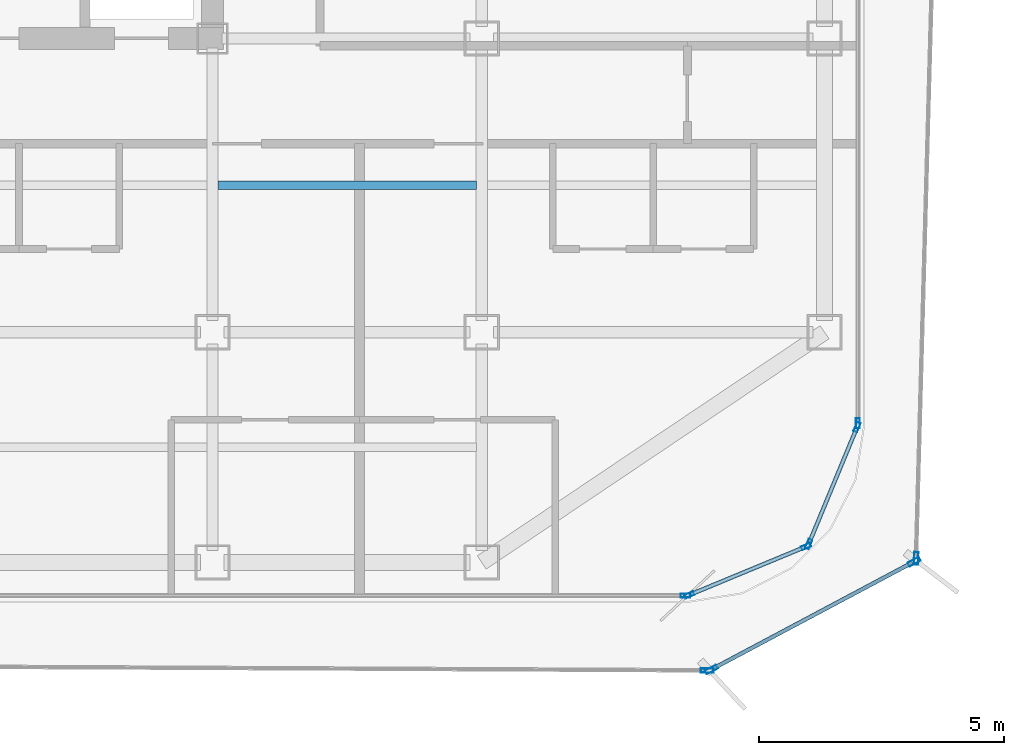
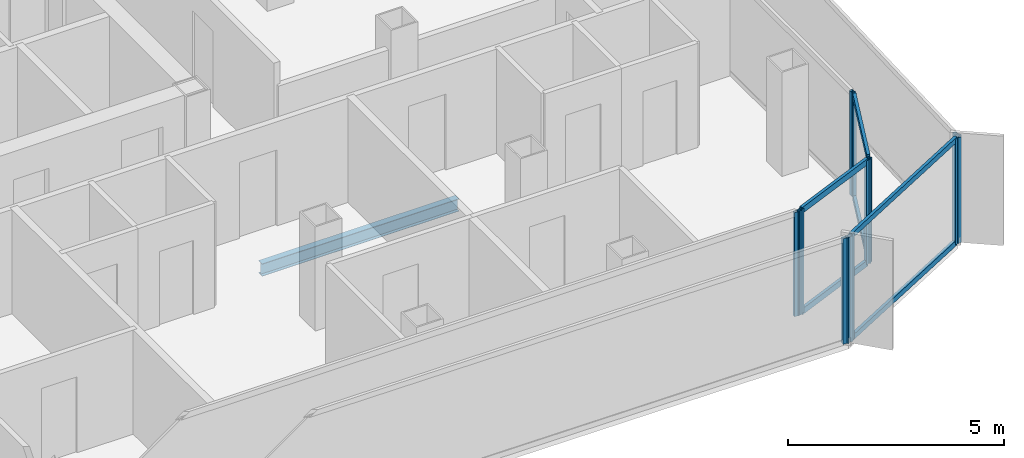
# One storey, part 4 of 16: 16 members, 1 beam, 7 elements without a shape of their own.
"""IFC4 building model written with IfcOpenShell, lengths in metres."""

from ifc_helpers import new_model, si_unit, direction, frame, origin, origin_2d, place, context, subcontext, project, spatial, hollow_rectangle, i_section, extrude, source, transform, mapped, material, layer, layer_set, material_profile, profile_set, type_object, element, aggregate, save


model = new_model("IFC4")

# Units and contexts
model_context = context("Model", 3, precision=1e-05, world=origin(), true_north=direction((0.0, 1.0)))
body_context = subcontext(model_context, "Body", "Model", "MODEL_VIEW")
ifc_project = project(units=[si_unit("LENGTHUNIT", "METRE"), si_unit("AREAUNIT", "SQUARE_METRE"), si_unit("VOLUMEUNIT", "CUBIC_METRE"), si_unit("PLANEANGLEUNIT", "RADIAN"), si_unit("MASSUNIT", "GRAM", prefix="KILO")], contexts=[model_context])

# Site, building, storey
site_placement = place(None, origin())
site = spatial("IfcSite", under=ifc_project, at=site_placement, CompositionType="ELEMENT")
building_placement = place(site_placement, origin())
building = spatial("IfcBuilding", under=site, at=building_placement, Name="Kolveth Station Tower", CompositionType="ELEMENT")
storey_placement = place(building_placement, frame((0.0, 0.0, 209.199951171875)))
storey = spatial("IfcBuildingStorey", under=building, at=storey_placement, Name="L59", CompositionType="ELEMENT", Elevation=209.199951171875)

# Beam
ifc_material_1 = material(Name="Steel S355", Category="steel")
ifc_material_profile_1 = material_profile(ifc_material_1, i_section(OverallWidth=0.1708984375, OverallDepth=0.35205078125, WebThickness=0.0068359375, FlangeThickness=0.009765625, at=origin_2d()), Name="W360x44")
ifc_profile_set_1 = profile_set([ifc_material_profile_1], Name="Steel S355")
beam_type = type_object("IfcBeamType", Name="Beam_J2", PredefinedType="JOIST", material=ifc_profile_set_1)
shared_shape_1 = source(origin(), body_context, "Body", "SweptSolid", [
    extrude(i_section(OverallWidth=0.1708984375, OverallDepth=0.35205078125, WebThickness=0.0068359375, FlangeThickness=0.009765625, at=origin_2d()), origin(), (0.0, 0.0, 1.0), 5.27490234375),
])
beam_placement = place(storey_placement, frame((28.612548828125, 8.5, -0.426025390625), z_axis=(1.0, 0.0, 0.0), x_axis=(0.0, 1.0, 0.0)))
element("IfcBeam", 1, at=beam_placement, inside=storey, type_object=beam_type, Name="L59 Secondary Joist JST-L59-5-2", PredefinedType="JOIST", context=body_context, shape_type="MappedRepresentation", body=[
    mapped(shared_shape_1, transform((0.0, 0.0, 0.0), x_axis=(1.0, 0.0, 0.0), y_axis=(0.0, 1.0, 0.0), z_axis=(0.0, 0.0, 1.0), scale=1.0)),
])

# Curtain wall, members
ifc_material_2 = material(Name="Aluminium 6063-T6 and low-E dark glass", Category="aluminium")
ifc_layer_1 = layer(ifc_material_2, 0.18994140625)
ifc_layer_set_1 = layer_set([ifc_layer_1], Name="Aluminium 6063-T6 and low-E dark glass")
curtain_wall_type_1 = type_object("IfcCurtainWallType", Name="CurtainWall_CW-Z2", PredefinedType="NOTDEFINED", material=ifc_layer_set_1)
curtain_wall_1_placement = place(storey_placement, origin())
curtain_wall_1 = element("IfcCurtainWall", 2, at=curtain_wall_1_placement, inside=storey, type_object=curtain_wall_type_1, Name="L59 Inner Thermal Curtain Wall 1", PredefinedType="NOTDEFINED")
ifc_material_3 = material(Name="Black anodized aluminium 6063-T6", Category="aluminium")
ifc_material_profile_2 = material_profile(ifc_material_3, hollow_rectangle(XDim=0.080078125, YDim=0.199951171875, WallThickness=0.0048828125, at=origin_2d()), Name="ALU-80x200x5")
ifc_profile_set_2 = profile_set([ifc_material_profile_2], Name="Black anodized aluminium 6063-T6")
member_type_1 = type_object("IfcMemberType", Name="Mullion_ML2", PredefinedType="MULLION", material=ifc_profile_set_2)
shared_shape_2 = source(origin(), body_context, "Body", "SweptSolid", [
    extrude(hollow_rectangle(XDim=0.080078125, YDim=0.199951171875, WallThickness=0.0048828125, at=origin_2d()), origin(), (0.0, 0.0, 1.0), 2.949951171875),
])
member_1_placement = place(storey_placement, frame((38.237060546875, 0.13525390625, 0.0), z_axis=(0.0, 0.0, 1.0), x_axis=(-0.382697753087, 0.923873600544, 0.0)))
member_1 = element("IfcMember", 3, at=member_1_placement, type_object=member_type_1, Name="CW-Z2 mullion 1", PredefinedType="MULLION", context=body_context, shape_type="MappedRepresentation", body=[
    mapped(shared_shape_2, transform((0.0, 0.0, 0.0), x_axis=(1.0, 0.0, 0.0), y_axis=(0.0, 1.0, 0.0), z_axis=(0.0, 0.0, 1.0), scale=1.0)),
])
member_2_placement = place(storey_placement, frame((40.623779296875, 1.1240234375, 0.0), z_axis=(0.0, 0.0, 1.0), x_axis=(-0.382697753087, 0.923873600544, 0.0)))
member_2 = element("IfcMember", 4, at=member_2_placement, type_object=member_type_1, Name="CW-Z2 mullion 2", PredefinedType="MULLION", context=body_context, shape_type="MappedRepresentation", body=[
    mapped(shared_shape_2, transform((0.0, 0.0, 0.0), x_axis=(1.0, 0.0, 0.0), y_axis=(0.0, 1.0, 0.0), z_axis=(0.0, 0.0, 1.0), scale=1.0)),
])

curtain_wall_2_placement = place(storey_placement, origin())
curtain_wall_2 = element("IfcCurtainWall", 5, at=curtain_wall_2_placement, inside=storey, type_object=curtain_wall_type_1, Name="L59 Inner Thermal Curtain Wall 2", PredefinedType="NOTDEFINED")
member_3_placement = place(storey_placement, frame((40.676025390625, 1.17626953125, 0.0), z_axis=(0.0, 0.0, 1.0), x_axis=(-0.923873600544, 0.382697753087, 0.0)))
member_3 = element("IfcMember", 6, at=member_3_placement, type_object=member_type_1, Name="CW-Z2 mullion 1", PredefinedType="MULLION", context=body_context, shape_type="MappedRepresentation", body=[
    mapped(shared_shape_2, transform((0.0, 0.0, 0.0), x_axis=(1.0, 0.0, 0.0), y_axis=(0.0, 1.0, 0.0), z_axis=(0.0, 0.0, 1.0), scale=1.0)),
])
member_4_placement = place(storey_placement, frame((41.664794921875, 3.56298828125, 0.0), z_axis=(0.0, 0.0, 1.0), x_axis=(-0.923873600544, 0.382697753087, 0.0)))
member_4 = element("IfcMember", 7, at=member_4_placement, type_object=member_type_1, Name="CW-Z2 mullion 2", PredefinedType="MULLION", context=body_context, shape_type="MappedRepresentation", body=[
    mapped(shared_shape_2, transform((0.0, 0.0, 0.0), x_axis=(1.0, 0.0, 0.0), y_axis=(0.0, 1.0, 0.0), z_axis=(0.0, 0.0, 1.0), scale=1.0)),
])

# Curtain wall, member
curtain_wall_3_placement = place(storey_placement, origin())
curtain_wall_3 = element("IfcCurtainWall", 8, at=curtain_wall_3_placement, inside=storey, type_object=curtain_wall_type_1, Name="L59 Inner Thermal Curtain Wall 3", PredefinedType="NOTDEFINED")
member_5_placement = place(storey_placement, frame((41.679931640625, 3.639892578125, 0.0), z_axis=(0.0, 0.0, 1.0), x_axis=(-1.0, 0.0, 0.0)))
member_5 = element("IfcMember", 9, at=member_5_placement, type_object=member_type_1, Name="CW-Z2 mullion 1", PredefinedType="MULLION", context=body_context, shape_type="MappedRepresentation", body=[
    mapped(shared_shape_2, transform((0.0, 0.0, 0.0), x_axis=(1.0, 0.0, 0.0), y_axis=(0.0, 1.0, 0.0), z_axis=(0.0, 0.0, 1.0), scale=1.0)),
])
aggregate(curtain_wall_3, [member_5])

curtain_wall_4_placement = place(storey_placement, origin())
curtain_wall_4 = element("IfcCurtainWall", 10, at=curtain_wall_4_placement, inside=storey, type_object=curtain_wall_type_1, Name="L59 Inner Thermal Curtain Wall 12", PredefinedType="NOTDEFINED")
member_6_placement = place(storey_placement, frame((38.159912109375, 0.1201171875, 0.0), z_axis=(0.0, 0.0, 1.0), x_axis=(0.0, 1.0, 0.0)))
member_6 = element("IfcMember", 11, at=member_6_placement, type_object=member_type_1, Name="CW-Z2 mullion 2", PredefinedType="MULLION", context=body_context, shape_type="MappedRepresentation", body=[
    mapped(shared_shape_2, transform((0.0, 0.0, 0.0), x_axis=(1.0, 0.0, 0.0), y_axis=(0.0, 1.0, 0.0), z_axis=(0.0, 0.0, 1.0), scale=1.0)),
])
aggregate(curtain_wall_4, [member_6])

# Curtain wall, members
ifc_material_4 = material(Name="Black anodized aluminium 6063-T6 and dark solar glass", Category="aluminium")
ifc_layer_2 = layer(ifc_material_4, 0.159912109375)
ifc_layer_set_2 = layer_set([ifc_layer_2], Name="Black anodized aluminium 6063-T6 and dark solar glass")
curtain_wall_type_2 = type_object("IfcCurtainWallType", Name="OUTER SKIN CW-OS", PredefinedType="NOTDEFINED", material=ifc_layer_set_2)
curtain_wall_5_placement = place(storey_placement, origin())
curtain_wall_5 = element("IfcCurtainWall", 12, at=curtain_wall_5_placement, inside=storey, type_object=curtain_wall_type_2, Name="L59 Outer Ventilated Skin Curtain Wall 1", PredefinedType="NOTDEFINED")
ifc_material_profile_3 = material_profile(ifc_material_3, hollow_rectangle(XDim=0.090087890625, YDim=0.260009765625, WallThickness=0.0048828125, at=origin_2d()), Name="ALU-90x260x5")
ifc_profile_set_3 = profile_set([ifc_material_profile_3], Name="Black anodized aluminium 6063-T6")
member_type_2 = type_object("IfcMemberType", Name="FIN MULLION ML-OS", PredefinedType="MULLION", material=ifc_profile_set_3)
shared_shape_3 = source(origin(), body_context, "Body", "SweptSolid", [
    extrude(hollow_rectangle(XDim=0.090087890625, YDim=0.260009765625, WallThickness=0.0048828125, at=origin_2d()), origin(), (0.0, 0.0, 1.0), 2.989990234375),
])
member_7_placement = place(storey_placement, frame((38.6884765625, -1.386962890625, 0.0), z_axis=(0.0, 0.0, 1.0), x_axis=(-0.469704210311, 0.882823852655, 0.0)))
member_7 = element("IfcMember", 13, at=member_7_placement, type_object=member_type_2, Name="CW-OS mullion 1", PredefinedType="MULLION", context=body_context, shape_type="MappedRepresentation", body=[
    mapped(shared_shape_3, transform((0.0, 0.0, 0.0), x_axis=(1.0, 0.0, 0.0), y_axis=(0.0, 1.0, 0.0), z_axis=(0.0, 0.0, 1.0), scale=1.0)),
])
member_8_placement = place(storey_placement, frame((42.829345703125, 0.816162109375, 0.0), z_axis=(0.0, 0.0, 1.0), x_axis=(-0.469704210311, 0.882823852655, 0.0)))
member_8 = element("IfcMember", 14, at=member_8_placement, type_object=member_type_2, Name="CW-OS mullion 2", PredefinedType="MULLION", context=body_context, shape_type="MappedRepresentation", body=[
    mapped(shared_shape_3, transform((0.0, 0.0, 0.0), x_axis=(1.0, 0.0, 0.0), y_axis=(0.0, 1.0, 0.0), z_axis=(0.0, 0.0, 1.0), scale=1.0)),
])

# Curtain wall, member
curtain_wall_6_placement = place(storey_placement, origin())
curtain_wall_6 = element("IfcCurtainWall", 15, at=curtain_wall_6_placement, inside=storey, type_object=curtain_wall_type_2, Name="L59 Outer Ventilated Skin Curtain Wall 2", PredefinedType="NOTDEFINED")
member_9_placement = place(storey_placement, frame((42.870361328125, 0.882080078125, 0.0), z_axis=(0.0, 0.0, 1.0), x_axis=(-0.999620313441, 0.027554109622, 0.0)))
member_9 = element("IfcMember", 16, at=member_9_placement, type_object=member_type_2, Name="CW-OS mullion 1", PredefinedType="MULLION", context=body_context, shape_type="MappedRepresentation", body=[
    mapped(shared_shape_3, transform((0.0, 0.0, 0.0), x_axis=(1.0, 0.0, 0.0), y_axis=(0.0, 1.0, 0.0), z_axis=(0.0, 0.0, 1.0), scale=1.0)),
])
aggregate(curtain_wall_6, [member_9])

curtain_wall_7_placement = place(storey_placement, origin())
curtain_wall_7 = element("IfcCurtainWall", 17, at=curtain_wall_7_placement, inside=storey, type_object=curtain_wall_type_2, Name="L59 Outer Ventilated Skin Curtain Wall 8", PredefinedType="NOTDEFINED")
member_10_placement = place(storey_placement, frame((38.603759765625, -1.407958984375, 0.0), z_axis=(0.0, 0.0, 1.0), x_axis=(0.004894017169, 0.999988024226, 0.0)))
member_10 = element("IfcMember", 18, at=member_10_placement, type_object=member_type_2, Name="CW-OS mullion 2", PredefinedType="MULLION", context=body_context, shape_type="MappedRepresentation", body=[
    mapped(shared_shape_3, transform((0.0, 0.0, 0.0), x_axis=(1.0, 0.0, 0.0), y_axis=(0.0, 1.0, 0.0), z_axis=(0.0, 0.0, 1.0), scale=1.0)),
])
aggregate(curtain_wall_7, [member_10])

# Member
ifc_material_profile_4 = material_profile(ifc_material_3, hollow_rectangle(XDim=0.080078125, YDim=0.169921875, WallThickness=0.0048828125, at=origin_2d()), Name="ALU-80x170x5")
ifc_profile_set_4 = profile_set([ifc_material_profile_4], Name="Black anodized aluminium 6063-T6")
member_type_3 = type_object("IfcMemberType", Name="Transom_TR2", PredefinedType="USERDEFINED", material=ifc_profile_set_4)
shared_shape_4 = source(origin(), body_context, "Body", "SweptSolid", [
    extrude(hollow_rectangle(XDim=0.080078125, YDim=0.169921875, WallThickness=0.0048828125, at=origin_2d()), origin(), (0.0, 0.0, 1.0), 2.50341796875),
])
member_11_placement = place(storey_placement, frame((38.27392578125, 0.150634765625, 0.0400390625), z_axis=(0.923874190494, 0.382696328882, 0.0), x_axis=(-0.382696328882, 0.923874190494, 0.0)))
member_11 = element("IfcMember", 19, at=member_11_placement, type_object=member_type_3, Name="CW-Z2 transom 1.1", ObjectType="TRANSOM", PredefinedType="USERDEFINED", context=body_context, shape_type="MappedRepresentation", body=[
    mapped(shared_shape_4, transform((0.0, 0.0, 0.0), x_axis=(1.0, 0.0, 0.0), y_axis=(0.0, 1.0, 0.0), z_axis=(0.0, 0.0, 1.0), scale=1.0)),
])

member_12_placement = place(storey_placement, frame((38.27392578125, 0.150634765625, 2.91015625), z_axis=(0.923874190494, 0.382696328882, 0.0), x_axis=(-0.382696328882, 0.923874190494, 0.0)))
member_12 = element("IfcMember", 20, at=member_12_placement, type_object=member_type_3, Name="CW-Z2 transom 1.2", ObjectType="TRANSOM", PredefinedType="USERDEFINED", context=body_context, shape_type="MappedRepresentation", body=[
    mapped(shared_shape_4, transform((0.0, 0.0, 0.0), x_axis=(1.0, 0.0, 0.0), y_axis=(0.0, 1.0, 0.0), z_axis=(0.0, 0.0, 1.0), scale=1.0)),
])

aggregate(curtain_wall_1, [member_1, member_2, member_11, member_12])

member_13_placement = place(storey_placement, frame((40.69140625, 1.213134765625, 0.0400390625), z_axis=(0.382661849723, 0.923888472039, 0.0), x_axis=(-0.923888472039, 0.382661849723, 0.0)))
member_13 = element("IfcMember", 21, at=member_13_placement, type_object=member_type_3, Name="CW-Z2 transom 1.1", ObjectType="TRANSOM", PredefinedType="USERDEFINED", context=body_context, shape_type="MappedRepresentation", body=[
    mapped(shared_shape_4, transform((0.0, 0.0, 0.0), x_axis=(1.0, 0.0, 0.0), y_axis=(0.0, 1.0, 0.0), z_axis=(0.0, 0.0, 1.0), scale=1.0)),
])

member_14_placement = place(storey_placement, frame((40.69140625, 1.213134765625, 2.91015625), z_axis=(0.382661849723, 0.923888472039, 0.0), x_axis=(-0.923888472039, 0.382661849723, 0.0)))
member_14 = element("IfcMember", 22, at=member_14_placement, type_object=member_type_3, Name="CW-Z2 transom 1.2", ObjectType="TRANSOM", PredefinedType="USERDEFINED", context=body_context, shape_type="MappedRepresentation", body=[
    mapped(shared_shape_4, transform((0.0, 0.0, 0.0), x_axis=(1.0, 0.0, 0.0), y_axis=(0.0, 1.0, 0.0), z_axis=(0.0, 0.0, 1.0), scale=1.0)),
])

aggregate(curtain_wall_2, [member_3, member_4, member_13, member_14])

ifc_material_profile_5 = material_profile(ifc_material_3, hollow_rectangle(XDim=0.080078125, YDim=0.14990234375, WallThickness=0.0048828125, at=origin_2d()), Name="ALU-80x150x5")
ifc_profile_set_5 = profile_set([ifc_material_profile_5], Name="Black anodized aluminium 6063-T6")
member_type_4 = type_object("IfcMemberType", Name="Transom_TR-OS", PredefinedType="USERDEFINED", material=ifc_profile_set_5)
shared_shape_5 = source(origin(), body_context, "Body", "SweptSolid", [
    extrude(hollow_rectangle(XDim=0.080078125, YDim=0.14990234375, WallThickness=0.0048828125, at=origin_2d()), origin(), (0.0, 0.0, 1.0), 4.600341796875),
])
member_15_placement = place(storey_placement, frame((38.728271484375, -1.365966796875, 0.0400390625), z_axis=(0.882815268085, 0.469720344925, 0.0), x_axis=(-0.469720344925, 0.882815268085, 0.0)))
member_15 = element("IfcMember", 23, at=member_15_placement, type_object=member_type_4, Name="CW-OS transom 1.1", ObjectType="TRANSOM", PredefinedType="USERDEFINED", context=body_context, shape_type="MappedRepresentation", body=[
    mapped(shared_shape_5, transform((0.0, 0.0, 0.0), x_axis=(1.0, 0.0, 0.0), y_axis=(0.0, 1.0, 0.0), z_axis=(0.0, 0.0, 1.0), scale=1.0)),
])

member_16_placement = place(storey_placement, frame((38.728271484375, -1.365966796875, 2.949951171875), z_axis=(0.882815268085, 0.469720344925, 0.0), x_axis=(-0.469720344925, 0.882815268085, 0.0)))
member_16 = element("IfcMember", 24, at=member_16_placement, type_object=member_type_4, Name="CW-OS transom 1.2", ObjectType="TRANSOM", PredefinedType="USERDEFINED", context=body_context, shape_type="MappedRepresentation", body=[
    mapped(shared_shape_5, transform((0.0, 0.0, 0.0), x_axis=(1.0, 0.0, 0.0), y_axis=(0.0, 1.0, 0.0), z_axis=(0.0, 0.0, 1.0), scale=1.0)),
])

aggregate(curtain_wall_5, [member_7, member_8, member_15, member_16])

save(model, "model.ifc")
